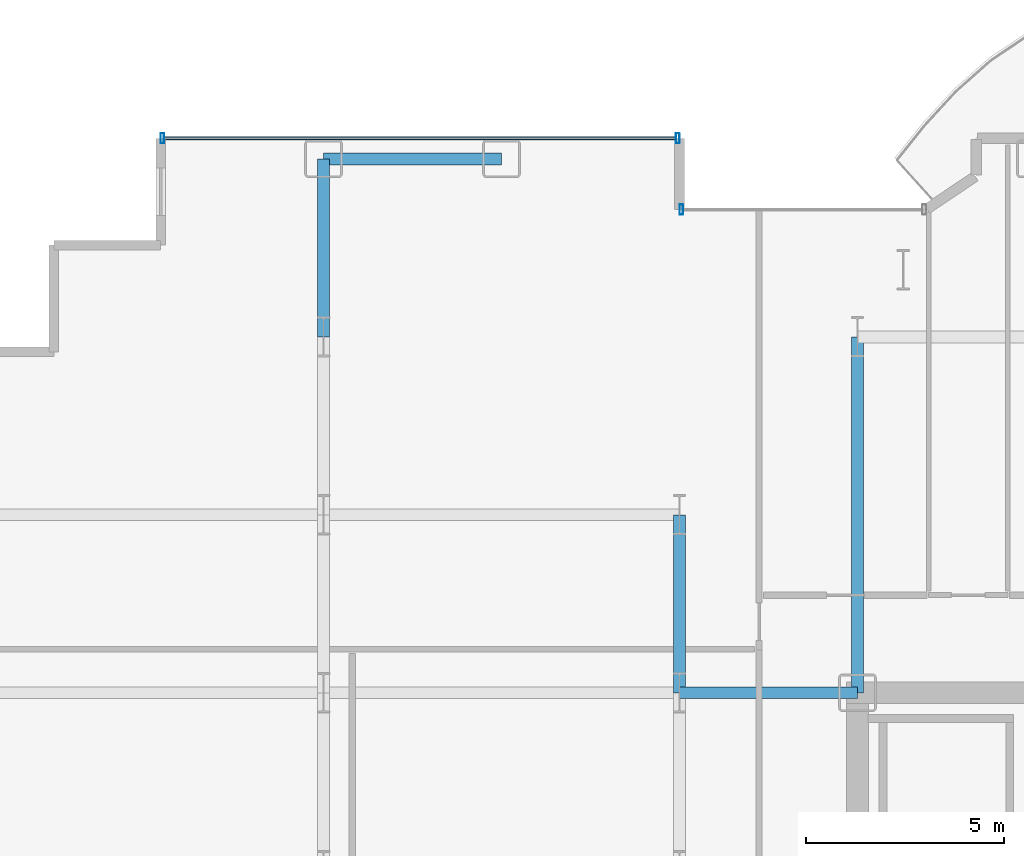
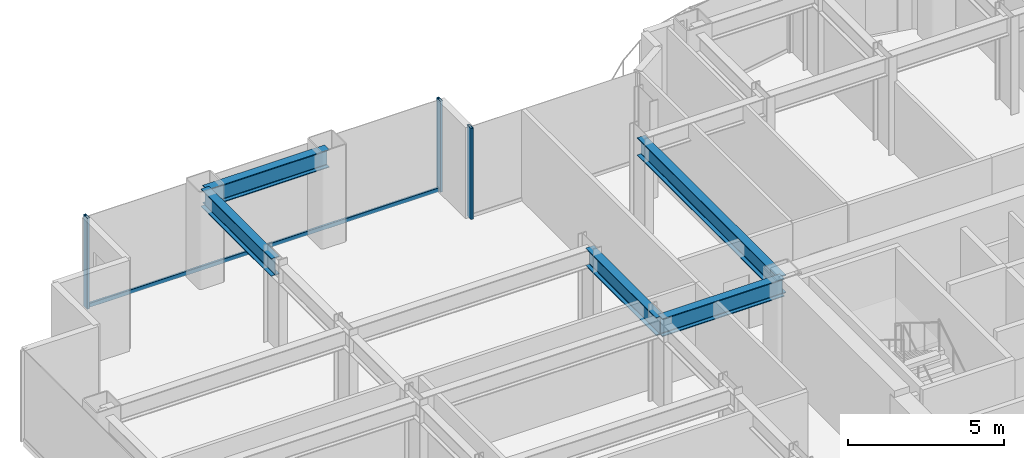
# One storey, part 12 of 28: 5 beams, 4 members, 2 elements without a shape of their own.
"""IFC4 building model written with IfcOpenShell, lengths in metres."""

from ifc_helpers import new_model, si_unit, direction, frame, origin, origin_2d, place, context, subcontext, project, spatial, hollow_rectangle, i_section, extrude, source, transform, mapped, material, layer, layer_set, material_profile, profile_set, type_object, element, aggregate, save


model = new_model("IFC4")

# Units and contexts
model_context = context("Model", 3, precision=1e-05, world=origin(), true_north=direction((0.0, 1.0)))
body_context = subcontext(model_context, "Body", "Model", "MODEL_VIEW")
ifc_project = project(units=[si_unit("LENGTHUNIT", "METRE"), si_unit("AREAUNIT", "SQUARE_METRE"), si_unit("VOLUMEUNIT", "CUBIC_METRE"), si_unit("PLANEANGLEUNIT", "RADIAN"), si_unit("MASSUNIT", "GRAM", prefix="KILO")], contexts=[model_context])

# Site, building, storey
site_placement = place(None, origin())
site = spatial("IfcSite", under=ifc_project, at=site_placement, CompositionType="ELEMENT")
building_placement = place(site_placement, origin())
building = spatial("IfcBuilding", under=site, at=building_placement, Name="Nefas-Gora Pilgrimage Tower", CompositionType="ELEMENT")
storey_placement = place(building_placement, frame((0.0, 0.0, 102.199951171875)))
storey = spatial("IfcBuildingStorey", under=building, at=storey_placement, Name="L24", CompositionType="ELEMENT", Elevation=102.199951171875)

# Beams
ifc_material_1 = material(Name="Steel S355", Category="steel")
ifc_material_profile_1 = material_profile(ifc_material_1, i_section(OverallWidth=0.300048828125, OverallDepth=0.699951171875, WebThickness=0.01708984375, FlangeThickness=0.031982421875, FilletRadius=0.027099609375, at=origin_2d()), Name="HEB 700")
ifc_profile_set_1 = profile_set([ifc_material_profile_1], Name="Steel S355")
beam_type_1 = type_object("IfcBeamType", Name="BM-SPN-HEB600", PredefinedType="SPANDREL", material=ifc_profile_set_1)
shared_shape_1 = source(origin(), body_context, "Body", "SweptSolid", [
    extrude(i_section(OverallWidth=0.300048828125, OverallDepth=0.699951171875, WebThickness=0.01708984375, FlangeThickness=0.031982421875, FilletRadius=0.027099609375, at=origin_2d()), origin(), (0.0, 0.0, 1.0), 4.5),
])
beam_1_placement = place(storey_placement, frame((-24.75, 22.5, 3.199951171875), z_axis=(1.0, 0.0, 0.0), x_axis=(0.0, 1.0, 0.0)))
element("IfcBeam", 1, at=beam_1_placement, inside=storey, type_object=beam_type_1, Name="L24 SP-01 beam", PredefinedType="SPANDREL", context=body_context, shape_type="MappedRepresentation", body=[
    mapped(shared_shape_1, transform((0.0, 0.0, 0.0), x_axis=(1.0, 0.0, 0.0), y_axis=(0.0, 1.0, 0.0), z_axis=(0.0, 0.0, 1.0), scale=1.0)),
])
ifc_material_profile_2 = material_profile(ifc_material_1, i_section(OverallWidth=0.300048828125, OverallDepth=0.699951171875, WebThickness=0.01708984375, FlangeThickness=0.031982421875, FilletRadius=0.027099609375, at=origin_2d()), Name="HEB 700")
ifc_profile_set_2 = profile_set([ifc_material_profile_2], Name="Steel S355")
beam_type_2 = type_object("IfcBeamType", Name="BM-GIR-HEB700", PredefinedType="BEAM", material=ifc_profile_set_2)
shared_shape_2 = source(origin(), body_context, "Body", "SweptSolid", [
    extrude(i_section(OverallWidth=0.300048828125, OverallDepth=0.699951171875, WebThickness=0.01708984375, FlangeThickness=0.031982421875, FilletRadius=0.027099609375, at=origin_2d()), origin(), (0.0, 0.0, 1.0), 9.0),
])
beam_2_placement = place(storey_placement, frame((-11.25, 9.0, 3.199951171875), z_axis=(0.0, 1.0, 0.0), x_axis=(-1.0, 0.0, 0.0)))
element("IfcBeam", 2, at=beam_2_placement, inside=storey, type_object=beam_type_2, Name="L24 G-02 beam", PredefinedType="BEAM", context=body_context, shape_type="MappedRepresentation", body=[
    mapped(shared_shape_2, transform((0.0, 0.0, 0.0), x_axis=(1.0, 0.0, 0.0), y_axis=(0.0, 1.0, 0.0), z_axis=(0.0, 0.0, 1.0), scale=1.0)),
])
shared_shape_3 = source(origin(), body_context, "Body", "SweptSolid", [
    extrude(i_section(OverallWidth=0.300048828125, OverallDepth=0.699951171875, WebThickness=0.01708984375, FlangeThickness=0.031982421875, FilletRadius=0.027099609375, at=origin_2d()), origin(), (0.0, 0.0, 1.0), 4.5),
])
for number, where, z_axis, x_axis, name in (
    (3, (-24.75, 18.0, 3.199951171875), (0.0, 1.0, 0.0), (-1.0, 0.0, 0.0), "L24 G-02 beam"),
    (4, (-15.75, 9.0, 3.199951171875), (0.0, 1.0, 0.0), (-1.0, 0.0, 0.0), "L24 G-02 beam"),
    (5, (-15.75, 9.0, 3.199951171875), (1.0, 0.0, 0.0), (0.0, 1.0, 0.0), "L24 G-02 beam"),
):
    element("IfcBeam", number, at=place(storey_placement, frame(where, z_axis=z_axis, x_axis=x_axis)), inside=storey, type_object=beam_type_2, Name=name, PredefinedType="BEAM", context=body_context, shape_type="MappedRepresentation", body=[
        mapped(shared_shape_3, transform((0.0, 0.0, 0.0), x_axis=(1.0, 0.0, 0.0), y_axis=(0.0, 1.0, 0.0), z_axis=(0.0, 0.0, 1.0), scale=1.0)),
    ])

# Curtain wall, member
ifc_material_2 = material(Name="Dark ceramic-fritted solar-control aluminium-glass curtain wall", Category="aluminium")
ifc_layer_1 = layer(ifc_material_2, 0.219970703125)
ifc_layer_set_1 = layer_set([ifc_layer_1], Name="Dark ceramic-fritted solar-control aluminium-glass curtain wall")
curtain_wall_type_1 = type_object("IfcCurtainWallType", Name="CW-SYS-5", PredefinedType="NOTDEFINED", material=ifc_layer_set_1)
curtain_wall_1_placement = place(storey_placement, origin())
curtain_wall_1 = element("IfcCurtainWall", 6, at=curtain_wall_1_placement, inside=storey, type_object=curtain_wall_type_1, Name="L24 Unitised Curtain Wall CW5", PredefinedType="NOTDEFINED")
ifc_material_3 = material(Name="Anodised architectural aluminium", Category="aluminium")
ifc_material_profile_3 = material_profile(ifc_material_3, hollow_rectangle(XDim=0.090087890625, YDim=0.260009765625, WallThickness=0.006103515625, InnerFilletRadius=0.006103515625, OuterFilletRadius=0.011962890625, at=origin_2d()), Name="ALU MULLION 90x260")
ifc_profile_set_3 = profile_set([ifc_material_profile_3], Name="Anodised architectural aluminium")
member_type_1 = type_object("IfcMemberType", Name="CWM-MUL-5", PredefinedType="MULLION", material=ifc_profile_set_3)
shared_shape_4 = source(origin(), body_context, "Body", "SweptSolid", [
    extrude(hollow_rectangle(XDim=0.090087890625, YDim=0.260009765625, WallThickness=0.006103515625, InnerFilletRadius=0.006103515625, OuterFilletRadius=0.011962890625, at=origin_2d()), origin(), (0.0, 0.0, 1.0), 3.550048828125),
])
member_1_placement = place(storey_placement, frame((-15.705078125, 21.219970703125, 0.0), z_axis=(0.0, 0.0, 1.0), x_axis=(-1.0, 0.0, 0.0)))
member_1 = element("IfcMember", 7, at=member_1_placement, type_object=member_type_1, Name="CW5 Mullion 2", PredefinedType="MULLION", context=body_context, shape_type="MappedRepresentation", body=[
    mapped(shared_shape_4, transform((0.0, 0.0, 0.0), x_axis=(1.0, 0.0, 0.0), y_axis=(0.0, 1.0, 0.0), z_axis=(0.0, 0.0, 1.0), scale=1.0)),
])
aggregate(curtain_wall_1, [member_1])

# Curtain wall, members
ifc_layer_2 = layer(ifc_material_2, 0.219970703125)
ifc_layer_set_2 = layer_set([ifc_layer_2], Name="Dark ceramic-fritted solar-control aluminium-glass curtain wall")
curtain_wall_type_2 = type_object("IfcCurtainWallType", Name="CW-SYS-2", PredefinedType="NOTDEFINED", material=ifc_layer_set_2)
curtain_wall_2_placement = place(storey_placement, origin())
curtain_wall_2 = element("IfcCurtainWall", 8, at=curtain_wall_2_placement, inside=storey, type_object=curtain_wall_type_2, Name="L24 Unitised Curtain Wall CW2", PredefinedType="NOTDEFINED")
ifc_material_profile_4 = material_profile(ifc_material_3, hollow_rectangle(XDim=0.090087890625, YDim=0.260009765625, WallThickness=0.006103515625, InnerFilletRadius=0.006103515625, OuterFilletRadius=0.011962890625, at=origin_2d()), Name="ALU MULLION 90x260")
ifc_profile_set_4 = profile_set([ifc_material_profile_4], Name="Anodised architectural aluminium")
member_type_2 = type_object("IfcMemberType", Name="CWM-MUL-2", PredefinedType="MULLION", material=ifc_profile_set_4)
shared_shape_5 = source(origin(), body_context, "Body", "SweptSolid", [
    extrude(hollow_rectangle(XDim=0.090087890625, YDim=0.260009765625, WallThickness=0.006103515625, InnerFilletRadius=0.006103515625, OuterFilletRadius=0.011962890625, at=origin_2d()), origin(), (0.0, 0.0, 1.0), 3.550048828125),
])
member_2_placement = place(storey_placement, frame((-15.794921875, 23.02001953125, 0.0), z_axis=(0.0, 0.0, 1.0), x_axis=(-1.0, 0.0, 0.0)))
member_2 = element("IfcMember", 9, at=member_2_placement, type_object=member_type_2, Name="CW2 Mullion 1", PredefinedType="MULLION", context=body_context, shape_type="MappedRepresentation", body=[
    mapped(shared_shape_5, transform((0.0, 0.0, 0.0), x_axis=(1.0, 0.0, 0.0), y_axis=(0.0, 1.0, 0.0), z_axis=(0.0, 0.0, 1.0), scale=1.0)),
])
member_3_placement = place(storey_placement, frame((-28.824951171875, 23.02001953125, 0.0), z_axis=(0.0, 0.0, 1.0), x_axis=(-1.0, 0.0, 0.0)))
member_3 = element("IfcMember", 10, at=member_3_placement, type_object=member_type_2, Name="CW2 Mullion 2", PredefinedType="MULLION", context=body_context, shape_type="MappedRepresentation", body=[
    mapped(shared_shape_5, transform((0.0, 0.0, 0.0), x_axis=(1.0, 0.0, 0.0), y_axis=(0.0, 1.0, 0.0), z_axis=(0.0, 0.0, 1.0), scale=1.0)),
])
ifc_material_profile_5 = material_profile(ifc_material_3, hollow_rectangle(XDim=0.080078125, YDim=0.159912109375, WallThickness=0.00439453125, InnerFilletRadius=0.00439453125, OuterFilletRadius=0.009033203125, at=origin_2d()), Name="ALU TRANSOM 80x160")
ifc_profile_set_5 = profile_set([ifc_material_profile_5], Name="Anodised architectural aluminium")
member_type_3 = type_object("IfcMemberType", Name="CWM-TRN-2", PredefinedType="USERDEFINED", material=ifc_profile_set_5)
shared_shape_6 = source(origin(), body_context, "Body", "SweptSolid", [
    extrude(hollow_rectangle(XDim=0.080078125, YDim=0.159912109375, WallThickness=0.00439453125, InnerFilletRadius=0.00439453125, OuterFilletRadius=0.009033203125, at=origin_2d()), origin(), (0.0, 0.0, 1.0), 12.93994140625),
])
member_4_placement = place(storey_placement, frame((-15.840087890625, 23.02001953125, 0.050048828125), z_axis=(-1.0, 0.0, 0.0), x_axis=(0.0, -1.0, 0.0)))
member_4 = element("IfcMember", 11, at=member_4_placement, type_object=member_type_3, Name="CW2 Spandrel Transom", ObjectType="TRANSOM", PredefinedType="USERDEFINED", context=body_context, shape_type="MappedRepresentation", body=[
    mapped(shared_shape_6, transform((0.0, 0.0, 0.0), x_axis=(1.0, 0.0, 0.0), y_axis=(0.0, 1.0, 0.0), z_axis=(0.0, 0.0, 1.0), scale=1.0)),
])
aggregate(curtain_wall_2, [member_2, member_3, member_4])

save(model, "model.ifc")
